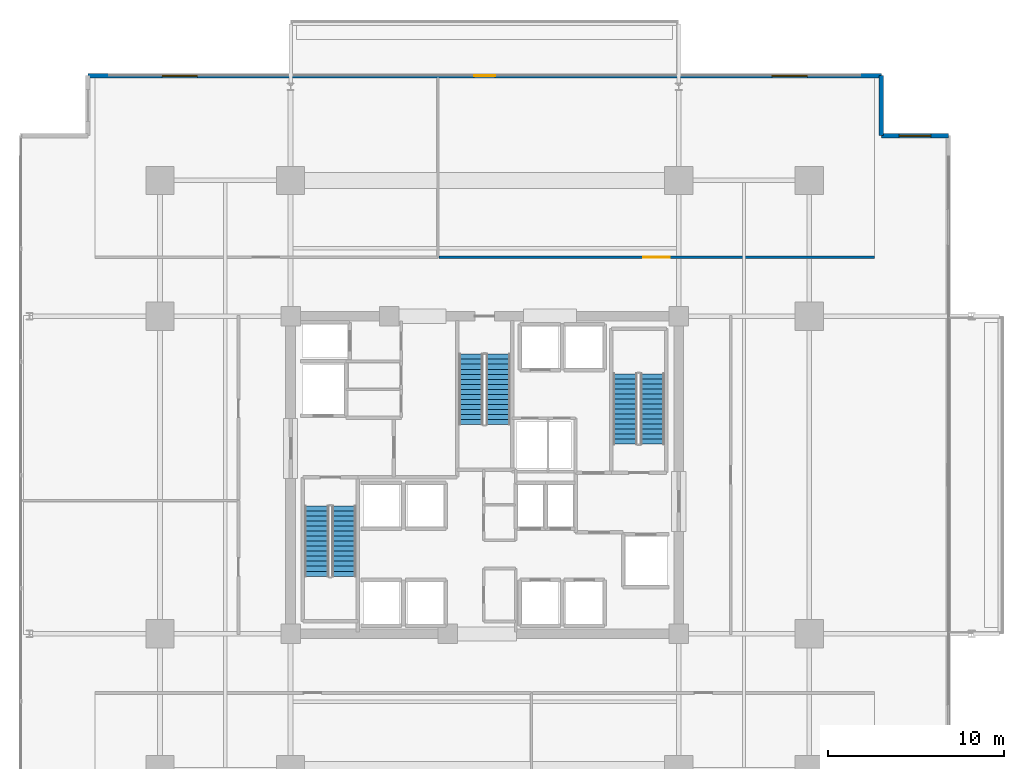
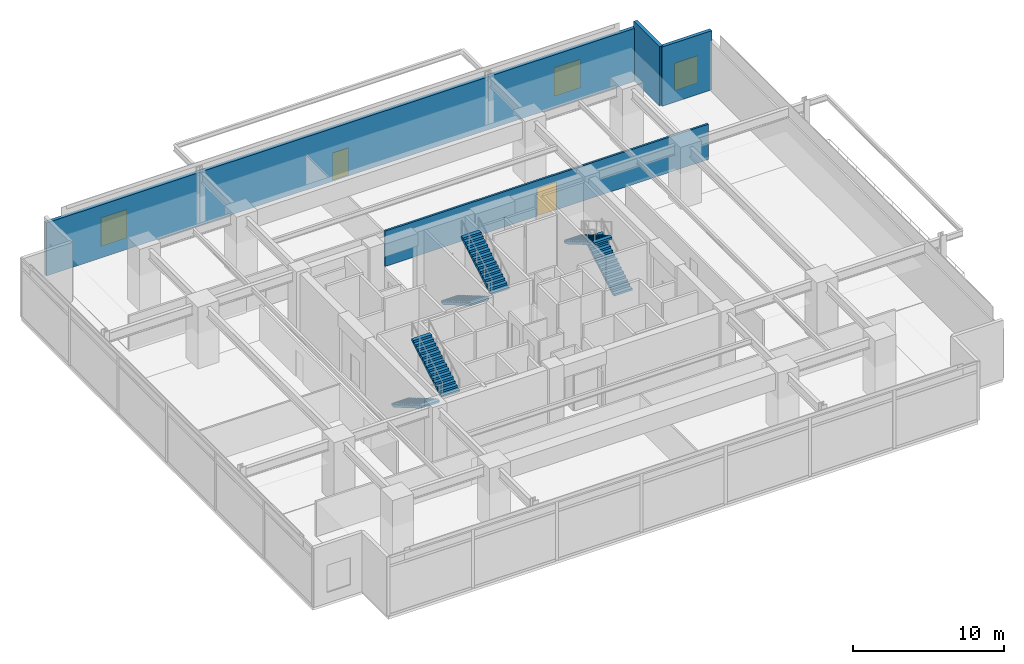
# One storey, part 15 of 20: 6 stair flights, 4 walls, 3 windows, 2 doors, 5 openings, 3 elements without a shape of their own.
"""IFC4 building model written with IfcOpenShell, lengths in metres."""

from ifc_helpers import new_model, si_unit, direction, frame, frame_2d, origin, place, context, subcontext, project, spatial, polyline, rectangle, outline, extrude, material, layer, layer_set, type_object, element, fill, aggregate, save


model = new_model("IFC4")

# Units and contexts
model_context = context("Model", 3, precision=1e-05, world=origin(), true_north=direction((0.0, 1.0)))
body_context = subcontext(model_context, "Body", "Model", "MODEL_VIEW")
ifc_project = project(units=[si_unit("LENGTHUNIT", "METRE"), si_unit("AREAUNIT", "SQUARE_METRE"), si_unit("VOLUMEUNIT", "CUBIC_METRE"), si_unit("PLANEANGLEUNIT", "RADIAN"), si_unit("MASSUNIT", "GRAM", prefix="KILO")], contexts=[model_context])

# Site, building, storey
site_placement = place(None, origin())
site = spatial("IfcSite", under=ifc_project, at=site_placement, CompositionType="ELEMENT")
building_placement = place(site_placement, origin())
building = spatial("IfcBuilding", under=site, at=building_placement, Name="Kovane Verandah Tower", CompositionType="ELEMENT")
storey_placement = place(building_placement, frame((0.0, 0.0, 123.39990234375)))
storey = spatial("IfcBuildingStorey", under=building, at=storey_placement, Name="L28", CompositionType="ELEMENT", Elevation=123.39990234375)

# Wall, opening, door
ifc_material_1 = material(Name="Fire-Rated Gypsum Stud Partition", Category="gypsum")
ifc_layer_1 = layer(ifc_material_1, 0.14990234375)
ifc_layer_set_1 = layer_set([ifc_layer_1], Name="Fire-Rated Gypsum Stud Partition")
wall_type_1 = type_object("IfcWallType", Name="WL-COR-150", PredefinedType="PARTITIONING", material=ifc_layer_set_1)
wall_1_placement = place(storey_placement, frame((37.419921875, 39.85009765625, 0.0), z_axis=(0.0, 0.0, 1.0), x_axis=(1.0, 0.0, 0.0)))
wall_1 = element("IfcWall", 1, at=wall_1_placement, inside=storey, type_object=wall_type_1, Name="L28 Client Boardroom N2 Corridor Partition", PredefinedType="PARTITIONING", context=body_context, shape_type="SweptSolid", body=[
    extrude(rectangle(XDim=24.664794921875, YDim=0.14990234375, at=frame_2d((12.33251953125, 0.0))), origin(), (0.0, 0.0, 1.0), 2.85009765625),
])
opening_1_placement = place(wall_1_placement, frame((11.58251953125, 0.0, 0.0)))
opening_1 = element("IfcOpeningElement", 2, at=opening_1_placement, cuts=wall_1, Name="Opening DR-L28-017", PredefinedType="OPENING", context=body_context, shape_type="SweptSolid", body=[
    extrude(rectangle(XDim=1.5, YDim=2.25, at=frame_2d((0.75, 1.125))), frame((0.0, 0.074951171875, 0.0), z_axis=(0.0, -1.0, 0.0), x_axis=(1.0, 0.0, 0.0)), (0.0, 0.0, 1.0), 0.14990234375),
])
ifc_material_2 = material(Name="Glazed Timber Fire-Rated Double Door", Category="wood")
door_type_1 = type_object("IfcDoorType", Name="DR-CONF-1500", OperationType="DOUBLE_DOOR_SINGLE_SWING", PredefinedType="DOOR", material=ifc_material_2)
door_1_placement = place(opening_1_placement, origin())
door_1 = element("IfcDoor", 3, at=door_1_placement, inside=storey, type_object=door_type_1, Name="L28 Client Boardroom N2 Entrance Door", OperationType="DOUBLE_DOOR_SINGLE_SWING", OverallHeight=2.25, OverallWidth=1.5, PredefinedType="DOOR", context=body_context, shape_type="SweptSolid", body=[
    extrude(rectangle(XDim=1.5, YDim=2.25, at=frame_2d((0.75, 1.125))), frame((0.0, 0.02490234375, 0.0), z_axis=(0.0, -1.0, 0.0), x_axis=(1.0, 0.0, 0.0)), (0.0, 0.0, 1.0), 0.050048828125),
])
fill(opening_1, door_1)

# Wall, openings, door, windows
ifc_material_3 = material(Name="Concrete C45/55 Insulated Spandrel Wall", Category="concrete")
ifc_layer_2 = layer(ifc_material_3, 0.260009765625)
ifc_layer_set_2 = layer_set([ifc_layer_2], Name="Concrete C45/55 Insulated Spandrel Wall")
wall_type_2 = type_object("IfcWallType", Name="WL-SPANDREL-260", PredefinedType="PARAPET", material=ifc_layer_set_2)
wall_2_placement = place(storey_placement, frame((62.484619140625, 50.13916015625, 0.0), z_axis=(0.0, 0.0, 1.0), x_axis=(-1.0, 0.0, 0.0)))
wall_2 = element("IfcWall", 4, at=wall_2_placement, inside=storey, type_object=wall_type_2, Name="L28 N Verandah Access Facade Wall", PredefinedType="PARAPET", context=body_context, shape_type="SweptSolid", body=[
    extrude(rectangle(XDim=44.96923828125, YDim=0.260009765625, at=frame_2d((22.484619140625, 0.0))), origin(), (0.0, 0.0, 1.0), 4.27294921875),
])
opening_2_placement = place(wall_2_placement, frame((4.199951171875, 0.0, 0.85009765625)))
opening_2 = element("IfcOpeningElement", 5, at=opening_2_placement, cuts=wall_2, Name="Opening W-04", PredefinedType="OPENING", context=body_context, shape_type="SweptSolid", body=[
    extrude(rectangle(XDim=2.0, YDim=2.300048828125, at=frame_2d((1.0, 1.14990234375))), frame((0.0, 0.1298828125, 0.0), z_axis=(0.0, -1.0, 0.0), x_axis=(1.0, 0.0, 0.0)), (0.0, 0.0, 1.0), 0.260009765625),
])
opening_3_placement = place(wall_2_placement, frame((21.884521484375, 0.0, 0.0)))
opening_3 = element("IfcOpeningElement", 6, at=opening_3_placement, cuts=wall_2, Name="Opening DR-L28-002", PredefinedType="OPENING", context=body_context, shape_type="SweptSolid", body=[
    extrude(rectangle(XDim=1.199951171875, YDim=2.199951171875, at=frame_2d((0.60009765625, 1.10009765625))), frame((0.0, 0.1298828125, 0.0), z_axis=(0.0, -1.0, 0.0), x_axis=(1.0, 0.0, 0.0)), (0.0, 0.0, 1.0), 0.260009765625),
])
opening_4_placement = place(wall_2_placement, frame((38.769287109375, 0.0, 0.85009765625)))
opening_4 = element("IfcOpeningElement", 7, at=opening_4_placement, cuts=wall_2, Name="Opening W-04", PredefinedType="OPENING", context=body_context, shape_type="SweptSolid", body=[
    extrude(rectangle(XDim=2.0, YDim=2.300048828125, at=frame_2d((1.0, 1.14990234375))), frame((0.0, 0.1298828125, 0.0), z_axis=(0.0, -1.0, 0.0), x_axis=(1.0, 0.0, 0.0)), (0.0, 0.0, 1.0), 0.260009765625),
])
ifc_material_4 = material(Name="Cyclone-Rated Glazed Balcony Leaf Door", Category="aluminium")
door_type_2 = type_object("IfcDoorType", Name="DR-BAL-1200x2200", OperationType="SINGLE_SWING_LEFT", PredefinedType="DOOR", material=ifc_material_4)
door_2_placement = place(opening_3_placement, origin())
door_2 = element("IfcDoor", 8, at=door_2_placement, inside=storey, type_object=door_type_2, Name="L28 N Planted Balcony Access Door", OperationType="SINGLE_SWING_LEFT", OverallHeight=2.199951171875, OverallWidth=1.199951171875, PredefinedType="DOOR", context=body_context, shape_type="SweptSolid", body=[
    extrude(rectangle(XDim=1.199951171875, YDim=2.199951171875, at=frame_2d((0.60009765625, 1.10009765625))), frame((0.0, 0.02490234375, 0.0), z_axis=(0.0, -1.0, 0.0), x_axis=(1.0, 0.0, 0.0)), (0.0, 0.0, 1.0), 0.050048828125),
])
fill(opening_3, door_2)
ifc_material_5 = material(Name="Clear Low-E Laminated Double Glazing in Anodised Frame", Category="glass")
window_type_1 = type_object("IfcWindowType", Name="WN-FIXED-2000x2300", PartitioningType="SINGLE_PANEL", PredefinedType="WINDOW", material=ifc_material_5)
window_1_placement = place(opening_2_placement, origin())
window_1 = element("IfcWindow", 9, at=window_1_placement, inside=storey, type_object=window_type_1, Name="L28 N Verandah View Window 1", OverallHeight=2.300048828125, OverallWidth=2.0, PartitioningType="SINGLE_PANEL", PredefinedType="WINDOW", context=body_context, shape_type="SweptSolid", body=[
    extrude(rectangle(XDim=2.0, YDim=2.300048828125, at=frame_2d((1.0, 1.14990234375))), frame((0.0, 0.030029296875, 0.0), z_axis=(0.0, -1.0, 0.0), x_axis=(1.0, 0.0, 0.0)), (0.0, 0.0, 1.0), 0.06005859375),
])
fill(opening_2, window_1)
window_2_placement = place(opening_4_placement, origin())
window_2 = element("IfcWindow", 10, at=window_2_placement, inside=storey, type_object=window_type_1, Name="L28 N Verandah View Window 2", OverallHeight=2.300048828125, OverallWidth=2.0, PartitioningType="SINGLE_PANEL", PredefinedType="WINDOW", context=body_context, shape_type="SweptSolid", body=[
    extrude(rectangle(XDim=2.0, YDim=2.300048828125, at=frame_2d((1.0, 1.14990234375))), frame((0.0, 0.030029296875, 0.0), z_axis=(0.0, -1.0, 0.0), x_axis=(1.0, 0.0, 0.0)), (0.0, 0.0, 1.0), 0.06005859375),
])
fill(opening_4, window_2)

# Wall, opening, window
wall_3_placement = place(storey_placement, frame((66.28466796875, 46.7392578125, 0.0), z_axis=(0.0, 0.0, 1.0), x_axis=(-1.0, 0.0, 0.0)))
wall_3 = element("IfcWall", 11, at=wall_3_placement, inside=storey, type_object=wall_type_2, Name="L28 NE Notch Cheek Wall 1", PredefinedType="PARAPET", context=body_context, shape_type="SweptSolid", body=[
    extrude(rectangle(XDim=3.800048828125, YDim=0.260009765625, at=frame_2d((1.89990234375, 0.0))), origin(), (0.0, 0.0, 1.0), 4.775146484375),
])
opening_5_placement = place(wall_3_placement, frame((1.0, 0.0, 0.85009765625)))
opening_5 = element("IfcOpeningElement", 12, at=opening_5_placement, cuts=wall_3, Name="Opening W-03", PredefinedType="OPENING", context=body_context, shape_type="SweptSolid", body=[
    extrude(rectangle(XDim=1.800048828125, YDim=2.199951171875, at=frame_2d((0.89990234375, 1.10009765625))), frame((0.0, 0.1298828125, 0.0), z_axis=(0.0, -1.0, 0.0), x_axis=(1.0, 0.0, 0.0)), (0.0, 0.0, 1.0), 0.260009765625),
])
window_type_2 = type_object("IfcWindowType", Name="WN-NOTCH-1800x2200", PartitioningType="SINGLE_PANEL", PredefinedType="WINDOW", material=ifc_material_5)
window_3_placement = place(opening_5_placement, origin())
window_3 = element("IfcWindow", 13, at=window_3_placement, inside=storey, type_object=window_type_2, Name="L28 NE Re-Entrant Corner Operable Window", OverallHeight=2.199951171875, OverallWidth=1.800048828125, PartitioningType="SINGLE_PANEL", PredefinedType="WINDOW", context=body_context, shape_type="SweptSolid", body=[
    extrude(rectangle(XDim=1.800048828125, YDim=2.199951171875, at=frame_2d((0.89990234375, 1.10009765625))), frame((0.0, 0.030029296875, 0.0), z_axis=(0.0, -1.0, 0.0), x_axis=(1.0, 0.0, 0.0)), (0.0, 0.0, 1.0), 0.06005859375),
])
fill(opening_5, window_3)

# Wall
wall_4_placement = place(storey_placement, frame((62.484619140625, 46.7392578125, 0.0), z_axis=(0.0, 0.0, 1.0), x_axis=(0.0, 1.0, 0.0)))
element("IfcWall", 14, at=wall_4_placement, inside=storey, type_object=wall_type_2, Name="L28 NE Notch Cheek Wall 2", PredefinedType="PARAPET", context=body_context, shape_type="SweptSolid", body=[
    extrude(rectangle(XDim=3.39990234375, YDim=0.260009765625, at=frame_2d((1.699951171875, 0.0))), origin(), (0.0, 0.0, 1.0), 4.775146484375),
])

# Stair, stair flights
ifc_material_6 = material(Name="Concrete C45/55", Category="concrete")
stair_type = type_object("IfcStairType", Name="ST-CORE-1380", PredefinedType="HALF_TURN_STAIR", material=ifc_material_6)
stair_1_placement = place(storey_placement, origin())
stair_1 = element("IfcStair", 15, at=stair_1_placement, inside=storey, type_object=stair_type, Name="L28 Exit Stair ST-01", PredefinedType="HALF_TURN_STAIR")
stair_flight_type = type_object("IfcStairFlightType", Name="STF-CORE-1380", PredefinedType="STRAIGHT", material=ifc_material_6)
stair_flight_1_placement = place(storey_placement, frame((30.489990234375, 25.75, 0.0), z_axis=(0.0, 0.0, 1.0), x_axis=(0.0, -1.0, 0.0)))
stair_flight_1 = element("IfcStairFlight", 16, at=stair_flight_1_placement, type_object=stair_flight_type, Name="ST-01 flight 1", NumberOfRisers=15, NumberOfTreads=14, PredefinedType="STRAIGHT", RiserHeight=0.166666667, TreadLength=0.285, context=body_context, shape_type="SweptSolid", body=[
    extrude(outline(polyline([(0.0, 0.0), (0.0, 0.166748046875), (0.284912109375, 0.166748046875), (0.284912109375, 0.333251953125), (0.570068359375, 0.333251953125), (0.570068359375, 0.5), (0.85498046875, 0.5), (0.85498046875, 0.666748046875), (1.139892578125, 0.666748046875), (1.139892578125, 0.833251953125), (1.425048828125, 0.833251953125), (1.425048828125, 1.0), (1.7099609375, 1.0), (1.7099609375, 1.166748046875), (1.9951171875, 1.166748046875), (1.9951171875, 1.333251953125), (2.280029296875, 1.333251953125), (2.280029296875, 1.5), (2.56494140625, 1.5), (2.56494140625, 1.666748046875), (2.85009765625, 1.666748046875), (2.85009765625, 1.833251953125), (3.135009765625, 1.833251953125), (3.135009765625, 2.0), (3.419921875, 2.0), (3.419921875, 2.166748046875), (3.705078125, 2.166748046875), (3.705078125, 2.333251953125), (3.989990234375, 2.333251953125), (3.989990234375, 2.5), (3.989990234375, 2.15966796875), (0.296875, 0.0), (0.0, 0.0)])), frame((0.0, 0.68994140625, 0.0), z_axis=(0.0, -1.0, 0.0), x_axis=(1.0, 0.0, 0.0)), (0.0, 0.0, 1.0), 1.3798828125),
])
stair_flight_2_placement = place(storey_placement, frame((32.030029296875, 21.760009765625, 2.5), z_axis=(0.0, 0.0, 1.0), x_axis=(0.0, 1.0, 0.0)))
stair_flight_2 = element("IfcStairFlight", 17, at=stair_flight_2_placement, type_object=stair_flight_type, Name="ST-01 flight 2", NumberOfRisers=15, NumberOfTreads=14, PredefinedType="STRAIGHT", RiserHeight=0.166666667, TreadLength=0.285, context=body_context, shape_type="SweptSolid", body=[
    extrude(outline(polyline([(0.0, 0.0), (0.0, 0.166748046875), (0.284912109375, 0.166748046875), (0.284912109375, 0.333251953125), (0.570068359375, 0.333251953125), (0.570068359375, 0.5), (0.85498046875, 0.5), (0.85498046875, 0.666748046875), (1.139892578125, 0.666748046875), (1.139892578125, 0.833251953125), (1.425048828125, 0.833251953125), (1.425048828125, 1.0), (1.7099609375, 1.0), (1.7099609375, 1.166748046875), (1.9951171875, 1.166748046875), (1.9951171875, 1.333251953125), (2.280029296875, 1.333251953125), (2.280029296875, 1.5), (2.56494140625, 1.5), (2.56494140625, 1.666748046875), (2.85009765625, 1.666748046875), (2.85009765625, 1.833251953125), (3.135009765625, 1.833251953125), (3.135009765625, 2.0), (3.419921875, 2.0), (3.419921875, 2.166748046875), (3.705078125, 2.166748046875), (3.705078125, 2.333251953125), (3.989990234375, 2.333251953125), (3.989990234375, 2.5), (3.989990234375, 2.15966796875), (0.296875, 0.0), (0.0, 0.0)])), frame((0.0, 0.68994140625, 0.0), z_axis=(0.0, -1.0, 0.0), x_axis=(1.0, 0.0, 0.0)), (0.0, 0.0, 1.0), 1.3798828125),
])
aggregate(stair_1, [stair_flight_1, stair_flight_2])

stair_2_placement = place(storey_placement, origin())
stair_2 = element("IfcStair", 18, at=stair_2_placement, inside=storey, type_object=stair_type, Name="L28 Exit Stair ST-02", PredefinedType="HALF_TURN_STAIR")
stair_flight_3_placement = place(storey_placement, frame((49.510009765625, 29.25, 0.0), z_axis=(0.0, 0.0, 1.0), x_axis=(0.0, 1.0, 0.0)))
stair_flight_3 = element("IfcStairFlight", 19, at=stair_flight_3_placement, type_object=stair_flight_type, Name="ST-02 flight 1", NumberOfRisers=15, NumberOfTreads=14, PredefinedType="STRAIGHT", RiserHeight=0.166666667, TreadLength=0.285, context=body_context, shape_type="SweptSolid", body=[
    extrude(outline(polyline([(0.0, 0.0), (0.0, 0.166748046875), (0.284912109375, 0.166748046875), (0.284912109375, 0.333251953125), (0.570068359375, 0.333251953125), (0.570068359375, 0.5), (0.85498046875, 0.5), (0.85498046875, 0.666748046875), (1.139892578125, 0.666748046875), (1.139892578125, 0.833251953125), (1.425048828125, 0.833251953125), (1.425048828125, 1.0), (1.7099609375, 1.0), (1.7099609375, 1.166748046875), (1.9951171875, 1.166748046875), (1.9951171875, 1.333251953125), (2.280029296875, 1.333251953125), (2.280029296875, 1.5), (2.56494140625, 1.5), (2.56494140625, 1.666748046875), (2.85009765625, 1.666748046875), (2.85009765625, 1.833251953125), (3.135009765625, 1.833251953125), (3.135009765625, 2.0), (3.419921875, 2.0), (3.419921875, 2.166748046875), (3.705078125, 2.166748046875), (3.705078125, 2.333251953125), (3.989990234375, 2.333251953125), (3.989990234375, 2.5), (3.989990234375, 2.15966796875), (0.296875, 0.0), (0.0, 0.0)])), frame((0.0, 0.68994140625, 0.0), z_axis=(0.0, -1.0, 0.0), x_axis=(1.0, 0.0, 0.0)), (0.0, 0.0, 1.0), 1.3798828125),
])
stair_flight_4_placement = place(storey_placement, frame((47.969970703125, 33.239990234375, 2.5), z_axis=(0.0, 0.0, 1.0), x_axis=(0.0, -1.0, 0.0)))
stair_flight_4 = element("IfcStairFlight", 20, at=stair_flight_4_placement, type_object=stair_flight_type, Name="ST-02 flight 2", NumberOfRisers=15, NumberOfTreads=14, PredefinedType="STRAIGHT", RiserHeight=0.166666667, TreadLength=0.285, context=body_context, shape_type="SweptSolid", body=[
    extrude(outline(polyline([(0.0, 0.0), (0.0, 0.166748046875), (0.284912109375, 0.166748046875), (0.284912109375, 0.333251953125), (0.570068359375, 0.333251953125), (0.570068359375, 0.5), (0.85498046875, 0.5), (0.85498046875, 0.666748046875), (1.139892578125, 0.666748046875), (1.139892578125, 0.833251953125), (1.425048828125, 0.833251953125), (1.425048828125, 1.0), (1.7099609375, 1.0), (1.7099609375, 1.166748046875), (1.9951171875, 1.166748046875), (1.9951171875, 1.333251953125), (2.280029296875, 1.333251953125), (2.280029296875, 1.5), (2.56494140625, 1.5), (2.56494140625, 1.666748046875), (2.85009765625, 1.666748046875), (2.85009765625, 1.833251953125), (3.135009765625, 1.833251953125), (3.135009765625, 2.0), (3.419921875, 2.0), (3.419921875, 2.166748046875), (3.705078125, 2.166748046875), (3.705078125, 2.333251953125), (3.989990234375, 2.333251953125), (3.989990234375, 2.5), (3.989990234375, 2.15966796875), (0.296875, 0.0), (0.0, 0.0)])), frame((0.0, 0.68994140625, 0.0), z_axis=(0.0, -1.0, 0.0), x_axis=(1.0, 0.0, 0.0)), (0.0, 0.0, 1.0), 1.3798828125),
])
aggregate(stair_2, [stair_flight_3, stair_flight_4])

stair_3_placement = place(storey_placement, origin())
stair_3 = element("IfcStair", 21, at=stair_3_placement, inside=storey, type_object=stair_type, Name="L28 Exit Stair ST-03", PredefinedType="HALF_TURN_STAIR")
stair_flight_5_placement = place(storey_placement, frame((39.22998046875, 34.35009765625, 0.0), z_axis=(0.0, 0.0, 1.0), x_axis=(0.0, -1.0, 0.0)))
stair_flight_5 = element("IfcStairFlight", 22, at=stair_flight_5_placement, type_object=stair_flight_type, Name="ST-03 flight 1", NumberOfRisers=15, NumberOfTreads=14, PredefinedType="STRAIGHT", RiserHeight=0.166666667, TreadLength=0.285, context=body_context, shape_type="SweptSolid", body=[
    extrude(outline(polyline([(0.0, 0.0), (0.0, 0.166748046875), (0.284912109375, 0.166748046875), (0.284912109375, 0.333251953125), (0.570068359375, 0.333251953125), (0.570068359375, 0.5), (0.85498046875, 0.5), (0.85498046875, 0.666748046875), (1.139892578125, 0.666748046875), (1.139892578125, 0.833251953125), (1.425048828125, 0.833251953125), (1.425048828125, 1.0), (1.7099609375, 1.0), (1.7099609375, 1.166748046875), (1.9951171875, 1.166748046875), (1.9951171875, 1.333251953125), (2.280029296875, 1.333251953125), (2.280029296875, 1.5), (2.56494140625, 1.5), (2.56494140625, 1.666748046875), (2.85009765625, 1.666748046875), (2.85009765625, 1.833251953125), (3.135009765625, 1.833251953125), (3.135009765625, 2.0), (3.419921875, 2.0), (3.419921875, 2.166748046875), (3.705078125, 2.166748046875), (3.705078125, 2.333251953125), (3.989990234375, 2.333251953125), (3.989990234375, 2.5), (3.989990234375, 2.15966796875), (0.296875, 0.0), (0.0, 0.0)])), frame((0.0, 0.68994140625, 0.0), z_axis=(0.0, -1.0, 0.0), x_axis=(1.0, 0.0, 0.0)), (0.0, 0.0, 1.0), 1.3798828125),
])
stair_flight_6_placement = place(storey_placement, frame((40.77001953125, 30.360107421875, 2.5), z_axis=(0.0, 0.0, 1.0), x_axis=(0.0, 1.0, 0.0)))
stair_flight_6 = element("IfcStairFlight", 23, at=stair_flight_6_placement, type_object=stair_flight_type, Name="ST-03 flight 2", NumberOfRisers=15, NumberOfTreads=14, PredefinedType="STRAIGHT", RiserHeight=0.166666667, TreadLength=0.285, context=body_context, shape_type="SweptSolid", body=[
    extrude(outline(polyline([(0.0, 0.0), (0.0, 0.166748046875), (0.284912109375, 0.166748046875), (0.284912109375, 0.333251953125), (0.570068359375, 0.333251953125), (0.570068359375, 0.5), (0.85498046875, 0.5), (0.85498046875, 0.666748046875), (1.139892578125, 0.666748046875), (1.139892578125, 0.833251953125), (1.425048828125, 0.833251953125), (1.425048828125, 1.0), (1.7099609375, 1.0), (1.7099609375, 1.166748046875), (1.9951171875, 1.166748046875), (1.9951171875, 1.333251953125), (2.280029296875, 1.333251953125), (2.280029296875, 1.5), (2.56494140625, 1.5), (2.56494140625, 1.666748046875), (2.85009765625, 1.666748046875), (2.85009765625, 1.833251953125), (3.135009765625, 1.833251953125), (3.135009765625, 2.0), (3.419921875, 2.0), (3.419921875, 2.166748046875), (3.705078125, 2.166748046875), (3.705078125, 2.333251953125), (3.989990234375, 2.333251953125), (3.989990234375, 2.5), (3.989990234375, 2.15966796875), (0.296875, 0.0), (0.0, 0.0)])), frame((0.0, 0.68994140625, 0.0), z_axis=(0.0, -1.0, 0.0), x_axis=(1.0, 0.0, 0.0)), (0.0, 0.0, 1.0), 1.3798828125),
])
aggregate(stair_3, [stair_flight_5, stair_flight_6])

save(model, "model.ifc")
